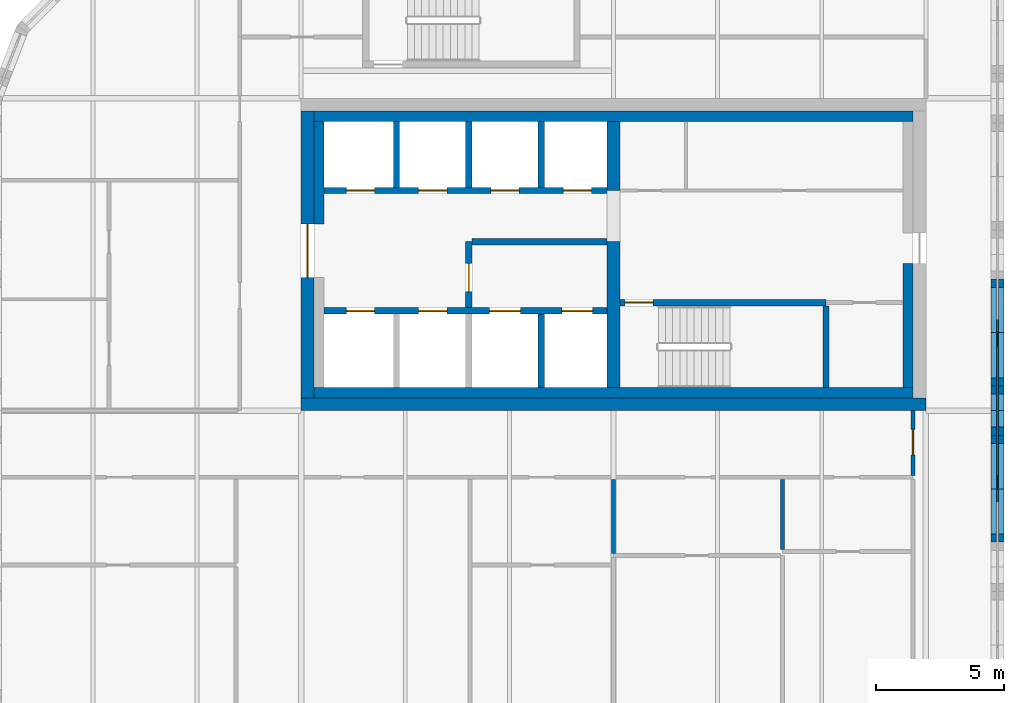
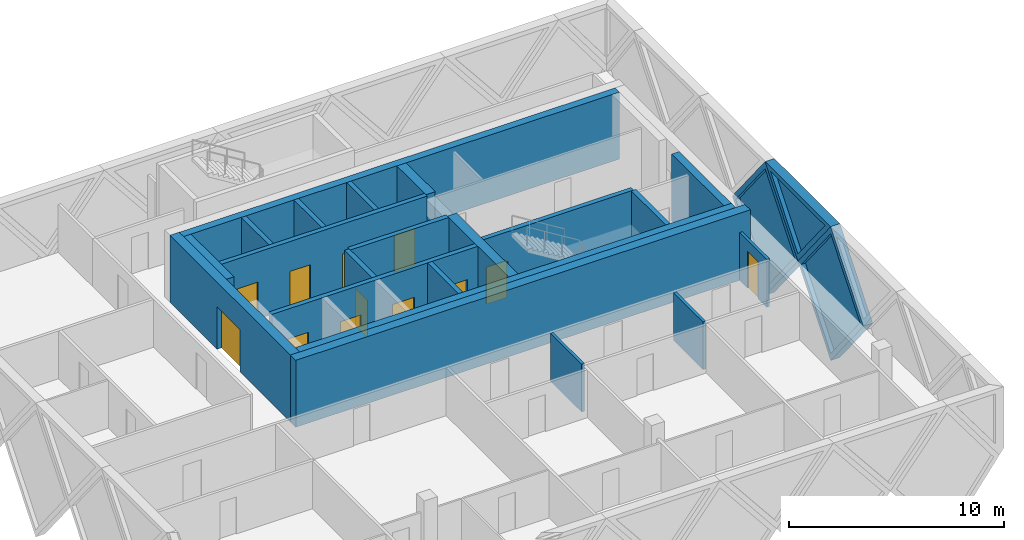
# One storey, part 19 of 24: 24 walls, 12 doors, 3 plates, 15 openings.
"""IFC4 building model written with IfcOpenShell, lengths in metres."""

from ifc_helpers import new_model, si_unit, direction, frame, frame_2d, origin, place, context, subcontext, project, spatial, polyline, rectangle, outline, extrude, faceted_brep, source, transform, mapped, material, layer, layer_set, type_object, element, fill, save


model = new_model("IFC4")

# Units and contexts
model_context = context("Model", 3, precision=1e-05, world=origin(), true_north=direction((0.0, 1.0)))
body_context = subcontext(model_context, "Body", "Model", "MODEL_VIEW")
ifc_project = project(units=[si_unit("LENGTHUNIT", "METRE"), si_unit("AREAUNIT", "SQUARE_METRE"), si_unit("VOLUMEUNIT", "CUBIC_METRE"), si_unit("PLANEANGLEUNIT", "RADIAN"), si_unit("MASSUNIT", "GRAM", prefix="KILO")], contexts=[model_context])

# Site, building, storey
site_placement = place(None, origin())
site = spatial("IfcSite", under=ifc_project, at=site_placement, CompositionType="ELEMENT")
building_placement = place(site_placement, origin())
building = spatial("IfcBuilding", under=site, at=building_placement, Name="Tessera Gate Towers", CompositionType="ELEMENT")
storey_placement = place(building_placement, frame((0.0, 0.0, 102.800048828125)))
storey = spatial("IfcBuildingStorey", under=building, at=storey_placement, Name="L25", CompositionType="ELEMENT", Elevation=102.800048828125)

# Wall, openings, doors
ifc_material_1 = material(Name="Concrete C40/50", Category="concrete")
ifc_layer_1 = layer(ifc_material_1, 0.25)
ifc_layer_set_1 = layer_set([ifc_layer_1], Name="CORE ENCLOSURE WALL 250")
wall_type_1 = type_object("IfcWallType", Name="CORE ENCLOSURE WALL 250", PredefinedType="SOLIDWALL", material=ifc_layer_set_1)
wall_1_placement = place(storey_placement, frame((98.5, 40.5, 0.0), z_axis=(0.0, 0.0, 1.0), x_axis=(1.0, 0.0, 0.0)))
wall_1 = element("IfcWall", 1, at=wall_1_placement, inside=storey, type_object=wall_type_1, Name="L25 shaft and stair enclosure wall", PredefinedType="SOLIDWALL", context=body_context, shape_type="SweptSolid", body=[
    extrude(rectangle(XDim=11.050048828125, YDim=0.25, at=frame_2d((5.52490234375, 0.0))), origin(), (0.0, 0.0, 1.0), 3.800048828125),
])
shared_shape_1 = source(origin(), body_context, "Body", "SweptSolid", [
    extrude(rectangle(XDim=1.10009765625, YDim=2.10009765625, at=frame_2d((0.550048828125, 1.050048828125))), frame((0.0, 0.135009765625, 0.0), z_axis=(0.0, -1.0, 0.0), x_axis=(1.0, 0.0, 0.0)), (0.0, 0.0, 1.0), 0.27001953125),
])
opening_1_placement = place(wall_1_placement, frame((0.862548828125, 0.0, 0.0)))
opening_1 = element("IfcOpeningElement", 2, at=opening_1_placement, cuts=wall_1, Name="Opening LD-TL1", PredefinedType="OPENING", context=body_context, shape_type="MappedRepresentation", body=[
    mapped(shared_shape_1, transform((0.0, 0.0, 0.0), scale=1.0)),
])
opening_2_placement = place(wall_1_placement, frame((3.6875, 0.0, 0.0)))
opening_2 = element("IfcOpeningElement", 3, at=opening_2_placement, cuts=wall_1, Name="Opening LD-TL2", PredefinedType="OPENING", context=body_context, shape_type="MappedRepresentation", body=[
    mapped(shared_shape_1, transform((0.0, 0.0, 0.0), scale=1.0)),
])
shared_shape_2 = source(origin(), body_context, "Body", "SweptSolid", [
    extrude(rectangle(XDim=1.199951171875, YDim=2.10009765625, at=frame_2d((0.60009765625, 1.050048828125))), frame((0.0, 0.135009765625, 0.0), z_axis=(0.0, -1.0, 0.0), x_axis=(1.0, 0.0, 0.0)), (0.0, 0.0, 1.0), 0.27001953125),
])
opening_3_placement = place(wall_1_placement, frame((6.46240234375, 0.0, 0.0)))
opening_3 = element("IfcOpeningElement", 4, at=opening_3_placement, cuts=wall_1, Name="Opening LD-FF3", PredefinedType="OPENING", context=body_context, shape_type="MappedRepresentation", body=[
    mapped(shared_shape_2, transform((0.0, 0.0, 0.0), scale=1.0)),
])
opening_4_placement = place(wall_1_placement, frame((9.28759765625, 0.0, 0.0)))
opening_4 = element("IfcOpeningElement", 5, at=opening_4_placement, cuts=wall_1, Name="Opening LD-FF4", PredefinedType="OPENING", context=body_context, shape_type="MappedRepresentation", body=[
    mapped(shared_shape_2, transform((0.0, 0.0, 0.0), scale=1.0)),
])
ifc_material_2 = material(Name="Stainless steel", Category="steel")
door_type_1 = type_object("IfcDoorType", Name="CORE DOOR LD1200 1200x2100", OperationType="DOUBLE_DOOR_SLIDING", PredefinedType="DOOR", material=ifc_material_2)
shared_shape_3 = source(origin(), body_context, "Body", "SweptSolid", [
    extrude(rectangle(XDim=1.199951171875, YDim=2.10009765625, at=frame_2d((0.60009765625, 1.050048828125))), frame((0.0, 0.02490234375, 0.0), z_axis=(0.0, -1.0, 0.0), x_axis=(1.0, 0.0, 0.0)), (0.0, 0.0, 1.0), 0.050048828125),
])
door_1_placement = place(opening_3_placement, origin())
door_1 = element("IfcDoor", 6, at=door_1_placement, inside=storey, type_object=door_type_1, Name="Landing door FF3 L25", OperationType="DOUBLE_DOOR_SLIDING", OverallHeight=2.10009765625, OverallWidth=1.199951171875, PredefinedType="DOOR", context=body_context, shape_type="MappedRepresentation", body=[
    mapped(shared_shape_3, transform((0.0, 0.0, 0.0), scale=1.0)),
])
fill(opening_3, door_1)
door_2_placement = place(opening_4_placement, origin())
door_2 = element("IfcDoor", 7, at=door_2_placement, inside=storey, type_object=door_type_1, Name="Landing door FF4 L25", OperationType="DOUBLE_DOOR_SLIDING", OverallHeight=2.10009765625, OverallWidth=1.199951171875, PredefinedType="DOOR", context=body_context, shape_type="MappedRepresentation", body=[
    mapped(shared_shape_3, transform((0.0, 0.0, 0.0), scale=1.0)),
])
fill(opening_4, door_2)
ifc_material_3 = material(Name="Stainless steel", Category="steel")
door_type_2 = type_object("IfcDoorType", Name="CORE DOOR LD 1100x2100", OperationType="DOUBLE_DOOR_SLIDING", PredefinedType="DOOR", material=ifc_material_3)
shared_shape_4 = source(origin(), body_context, "Body", "SweptSolid", [
    extrude(rectangle(XDim=1.10009765625, YDim=2.10009765625, at=frame_2d((0.550048828125, 1.050048828125))), frame((0.0, 0.02490234375, 0.0), z_axis=(0.0, -1.0, 0.0), x_axis=(1.0, 0.0, 0.0)), (0.0, 0.0, 1.0), 0.050048828125),
])
door_3_placement = place(opening_1_placement, origin())
door_3 = element("IfcDoor", 8, at=door_3_placement, inside=storey, type_object=door_type_2, Name="Landing door TL1 L25", OperationType="DOUBLE_DOOR_SLIDING", OverallHeight=2.10009765625, OverallWidth=1.10009765625, PredefinedType="DOOR", context=body_context, shape_type="MappedRepresentation", body=[
    mapped(shared_shape_4, transform((0.0, 0.0, 0.0), scale=1.0)),
])
fill(opening_1, door_3)
door_4_placement = place(opening_2_placement, origin())
door_4 = element("IfcDoor", 9, at=door_4_placement, inside=storey, type_object=door_type_2, Name="Landing door TL2 L25", OperationType="DOUBLE_DOOR_SLIDING", OverallHeight=2.10009765625, OverallWidth=1.10009765625, PredefinedType="DOOR", context=body_context, shape_type="MappedRepresentation", body=[
    mapped(shared_shape_4, transform((0.0, 0.0, 0.0), scale=1.0)),
])
fill(opening_2, door_4)

wall_2_placement = place(storey_placement, frame((109.550048828125, 45.199951171875, 0.0), z_axis=(0.0, 0.0, 1.0), x_axis=(-1.0, 0.0, 0.0)))
wall_2 = element("IfcWall", 10, at=wall_2_placement, inside=storey, type_object=wall_type_1, Name="L25 shaft and stair enclosure wall", PredefinedType="SOLIDWALL", context=body_context, shape_type="SweptSolid", body=[
    extrude(rectangle(XDim=11.050048828125, YDim=0.25, at=frame_2d((5.52490234375, 0.0))), origin(), (0.0, 0.0, 1.0), 3.800048828125),
])
opening_5_placement = place(wall_2_placement, frame((9.08740234375, 0.0, 0.0)))
opening_5 = element("IfcOpeningElement", 11, at=opening_5_placement, cuts=wall_2, Name="Opening LD-TL3", PredefinedType="OPENING", context=body_context, shape_type="MappedRepresentation", body=[
    mapped(shared_shape_1, transform((0.0, 0.0, 0.0), scale=1.0)),
])
opening_6_placement = place(wall_2_placement, frame((6.262451171875, 0.0, 0.0)))
opening_6 = element("IfcOpeningElement", 12, at=opening_6_placement, cuts=wall_2, Name="Opening LD-TL4", PredefinedType="OPENING", context=body_context, shape_type="MappedRepresentation", body=[
    mapped(shared_shape_1, transform((0.0, 0.0, 0.0), scale=1.0)),
])
opening_7_placement = place(wall_2_placement, frame((3.4375, 0.0, 0.0)))
opening_7 = element("IfcOpeningElement", 13, at=opening_7_placement, cuts=wall_2, Name="Opening LD-TL5", PredefinedType="OPENING", context=body_context, shape_type="MappedRepresentation", body=[
    mapped(shared_shape_1, transform((0.0, 0.0, 0.0), scale=1.0)),
])
opening_8_placement = place(wall_2_placement, frame((0.612548828125, 0.0, 0.0)))
opening_8 = element("IfcOpeningElement", 14, at=opening_8_placement, cuts=wall_2, Name="Opening LD-TL6", PredefinedType="OPENING", context=body_context, shape_type="MappedRepresentation", body=[
    mapped(shared_shape_1, transform((0.0, 0.0, 0.0), scale=1.0)),
])
door_5_placement = place(opening_5_placement, origin())
door_5 = element("IfcDoor", 15, at=door_5_placement, inside=storey, type_object=door_type_2, Name="Landing door TL3 L25", OperationType="DOUBLE_DOOR_SLIDING", OverallHeight=2.10009765625, OverallWidth=1.10009765625, PredefinedType="DOOR", context=body_context, shape_type="MappedRepresentation", body=[
    mapped(shared_shape_4, transform((0.0, 0.0, 0.0), scale=1.0)),
])
fill(opening_5, door_5)
door_6_placement = place(opening_6_placement, origin())
door_6 = element("IfcDoor", 16, at=door_6_placement, inside=storey, type_object=door_type_2, Name="Landing door TL4 L25", OperationType="DOUBLE_DOOR_SLIDING", OverallHeight=2.10009765625, OverallWidth=1.10009765625, PredefinedType="DOOR", context=body_context, shape_type="MappedRepresentation", body=[
    mapped(shared_shape_4, transform((0.0, 0.0, 0.0), scale=1.0)),
])
fill(opening_6, door_6)
door_7_placement = place(opening_7_placement, origin())
door_7 = element("IfcDoor", 17, at=door_7_placement, inside=storey, type_object=door_type_2, Name="Landing door TL5 L25", OperationType="DOUBLE_DOOR_SLIDING", OverallHeight=2.10009765625, OverallWidth=1.10009765625, PredefinedType="DOOR", context=body_context, shape_type="MappedRepresentation", body=[
    mapped(shared_shape_4, transform((0.0, 0.0, 0.0), scale=1.0)),
])
fill(opening_7, door_7)
door_8_placement = place(opening_8_placement, origin())
door_8 = element("IfcDoor", 18, at=door_8_placement, inside=storey, type_object=door_type_2, Name="Landing door TL6 L25", OperationType="DOUBLE_DOOR_SLIDING", OverallHeight=2.10009765625, OverallWidth=1.10009765625, PredefinedType="DOOR", context=body_context, shape_type="MappedRepresentation", body=[
    mapped(shared_shape_4, transform((0.0, 0.0, 0.0), scale=1.0)),
])
fill(opening_8, door_8)

# Wall, opening, door
wall_3_placement = place(storey_placement, frame((118.10009765625, 40.824951171875, 0.0), z_axis=(0.0, 0.0, 1.0), x_axis=(-1.0, 0.0, 0.0)))
wall_3 = element("IfcWall", 19, at=wall_3_placement, inside=storey, type_object=wall_type_1, Name="L25 shaft and stair enclosure wall", PredefinedType="SOLIDWALL", context=body_context, shape_type="SweptSolid", body=[
    extrude(rectangle(XDim=8.050048828125, YDim=0.25, at=frame_2d((4.02490234375, 0.0))), origin(), (0.0, 0.0, 1.0), 3.800048828125),
])
opening_9_placement = place(wall_3_placement, frame((6.75, 0.0, 0.0)))
opening_9 = element("IfcOpeningElement", 20, at=opening_9_placement, cuts=wall_3, Name="Opening SD-ST6-1", PredefinedType="OPENING", context=body_context, shape_type="MappedRepresentation", body=[
    mapped(shared_shape_1, transform((0.0, 0.0, 0.0), scale=1.0)),
])
ifc_material_4 = material(Name="Hollow steel fire door", Category="steel")
door_type_3 = type_object("IfcDoorType", Name="CORE DOOR SD1100 1100x2100", OperationType="NOTDEFINED", PredefinedType="DOOR", material=ifc_material_4)
door_9_placement = place(opening_9_placement, origin())
door_9 = element("IfcDoor", 21, at=door_9_placement, inside=storey, type_object=door_type_3, Name="Stair door", OperationType="SINGLE_SWING_RIGHT", OverallHeight=2.10009765625, OverallWidth=1.10009765625, PredefinedType="DOOR", context=body_context, shape_type="MappedRepresentation", body=[
    mapped(shared_shape_4, transform((0.0, 0.0, 0.0), scale=1.0)),
])
fill(opening_9, door_9)

wall_4_placement = place(storey_placement, frame((104.14990234375, 43.199951171875, 0.0), z_axis=(0.0, 0.0, 1.0), x_axis=(0.0, -1.0, 0.0)))
wall_4 = element("IfcWall", 22, at=wall_4_placement, inside=storey, type_object=wall_type_1, Name="L25 shaft and stair enclosure wall", PredefinedType="SOLIDWALL", context=body_context, shape_type="SweptSolid", body=[
    extrude(rectangle(XDim=2.574951171875, YDim=0.25, at=frame_2d((1.28759765625, 0.0))), origin(), (0.0, 0.0, 1.0), 3.800048828125),
])
opening_10_placement = place(wall_4_placement, frame((0.85009765625, 0.0, 0.0)))
opening_10 = element("IfcOpeningElement", 23, at=opening_10_placement, cuts=wall_4, Name="Opening FD-T2-12-03", PredefinedType="OPENING", context=body_context, shape_type="MappedRepresentation", body=[
    mapped(shared_shape_1, transform((0.0, 0.0, 0.0), scale=1.0)),
])
ifc_material_5 = material(Name="Hollow steel fire door", Category="steel")
door_type_4 = type_object("IfcDoorType", Name="CORE DOOR FD 1100x2100", OperationType="NOTDEFINED", PredefinedType="DOOR", material=ifc_material_5)
door_10_placement = place(opening_10_placement, origin())
door_10 = element("IfcDoor", 24, at=door_10_placement, inside=storey, type_object=door_type_4, Name="Fire-fighting lobby door", OperationType="SINGLE_SWING_RIGHT", OverallHeight=2.10009765625, OverallWidth=1.10009765625, PredefinedType="DOOR", context=body_context, shape_type="MappedRepresentation", body=[
    mapped(shared_shape_4, transform((0.0, 0.0, 0.0), scale=1.0)),
])
fill(opening_10, door_10)

# Walls
wall_5_placement = place(storey_placement, frame((104.27490234375, 43.199951171875, 0.0), z_axis=(0.0, 0.0, 1.0), x_axis=(1.0, 0.0, 0.0)))
element("IfcWall", 25, at=wall_5_placement, inside=storey, type_object=wall_type_1, Name="L25 shaft and stair enclosure wall", PredefinedType="SOLIDWALL", context=body_context, shape_type="SweptSolid", body=[
    extrude(rectangle(XDim=5.275146484375, YDim=0.25, at=frame_2d((2.6376953125, 0.0))), origin(), (0.0, 0.0, 1.0), 3.800048828125),
])
wall_6_placement = place(storey_placement, frame((118.10009765625, 37.5, 0.0), z_axis=(0.0, 0.0, 1.0), x_axis=(0.0, 1.0, 0.0)))
element("IfcWall", 26, at=wall_6_placement, inside=storey, type_object=wall_type_1, Name="L25 shaft and stair enclosure wall", PredefinedType="SOLIDWALL", context=body_context, shape_type="SweptSolid", body=[
    extrude(rectangle(XDim=3.199951171875, YDim=0.25, at=frame_2d((1.60009765625, 0.0))), origin(), (0.0, 0.0, 1.0), 3.800048828125),
])
wall_7_placement = place(storey_placement, frame((106.97509765625, 37.5, 0.0), z_axis=(0.0, 0.0, 1.0), x_axis=(0.0, 1.0, 0.0)))
element("IfcWall", 27, at=wall_7_placement, inside=storey, type_object=wall_type_1, Name="L25 shaft and stair enclosure wall", PredefinedType="SOLIDWALL", context=body_context, shape_type="SweptSolid", body=[
    extrude(rectangle(XDim=2.875, YDim=0.25, at=frame_2d((1.4375, 0.0))), origin(), (0.0, 0.0, 1.0), 3.800048828125),
])
for number, where, z_axis, x_axis, name in (
    (28, (101.324951171875, 45.324951171875, 0.0), (0.0, 0.0, 1.0), (0.0, 1.0, 0.0), "L25 shaft and stair enclosure wall"),
    (29, (104.14990234375, 45.324951171875, 0.0), (0.0, 0.0, 1.0), (0.0, 1.0, 0.0), "L25 shaft and stair enclosure wall"),
    (30, (106.97509765625, 45.324951171875, 0.0), (0.0, 0.0, 1.0), (0.0, 1.0, 0.0), "L25 shaft and stair enclosure wall"),
):
    element("IfcWall", number, at=place(storey_placement, frame(where, z_axis=z_axis, x_axis=x_axis)), inside=storey, type_object=wall_type_1, Name=name, PredefinedType="SOLIDWALL", context=body_context, shape_type="SweptSolid", body=[
        extrude(rectangle(XDim=2.574951171875, YDim=0.25, at=frame_2d((1.28759765625, 0.0))), origin(), (0.0, 0.0, 1.0), 3.800048828125),
    ])
ifc_material_6 = material(Name="Concrete C50/60", Category="concrete")
ifc_layer_2 = layer(ifc_material_6, 0.5)
ifc_layer_set_2 = layer_set([ifc_layer_2], Name="CORE SHEAR WALL 500 C50/60")
wall_type_2 = type_object("IfcWallType", Name="CORE SHEAR WALL 500 C50/60", PredefinedType="SHEAR", material=ifc_layer_set_2)
wall_8_placement = place(storey_placement, frame((122.0, 36.85009765625, 0.0), z_axis=(0.0, 0.0, 1.0), x_axis=(-1.0, 0.0, 0.0)))
element("IfcWall", 31, at=wall_8_placement, inside=storey, type_object=wall_type_2, Name="Core wall S L25", PredefinedType="SHEAR", context=body_context, shape_type="SweptSolid", body=[
    extrude(rectangle(XDim=24.39990234375, YDim=0.5, at=frame_2d((12.199951171875, 0.0))), origin(), (0.0, 0.0, 1.0), 3.800048828125),
])

# Wall, opening, door
wall_9_placement = place(storey_placement, frame((97.85009765625, 37.10009765625, 0.0), z_axis=(0.0, 0.0, 1.0), x_axis=(0.0, 1.0, 0.0)))
wall_9 = element("IfcWall", 32, at=wall_9_placement, inside=storey, type_object=wall_type_2, Name="Core wall W L25", PredefinedType="SHEAR", context=body_context, shape_type="SweptSolid", body=[
    extrude(rectangle(XDim=11.199951171875, YDim=0.5, at=frame_2d((5.60009765625, 0.0))), origin(), (0.0, 0.0, 1.0), 3.800048828125),
])
shared_shape_5 = source(origin(), body_context, "Body", "SweptSolid", [
    extrude(rectangle(XDim=2.10009765625, YDim=2.39990234375, at=frame_2d((1.050048828125, 1.199951171875))), frame((0.0, 0.260009765625, 0.0), z_axis=(0.0, -1.0, 0.0), x_axis=(1.0, 0.0, 0.0)), (0.0, 0.0, 1.0), 0.52001953125),
])
opening_11_placement = place(wall_9_placement, frame((4.699951171875, 0.0, 0.0)))
opening_11 = element("IfcOpeningElement", 33, at=opening_11_placement, cuts=wall_9, Name="Opening DD-T2-12-01", PredefinedType="OPENING", context=body_context, shape_type="MappedRepresentation", body=[
    mapped(shared_shape_5, transform((0.0, 0.0, 0.0), scale=1.0)),
])
ifc_material_7 = material(Name="Hollow steel fire door", Category="steel")
door_type_5 = type_object("IfcDoorType", Name="CORE DOOR DD 2100x2400", OperationType="NOTDEFINED", PredefinedType="DOOR", material=ifc_material_7)
shared_shape_6 = source(origin(), body_context, "Body", "SweptSolid", [
    extrude(rectangle(XDim=2.10009765625, YDim=2.39990234375, at=frame_2d((1.050048828125, 1.199951171875))), frame((0.0, 0.02490234375, 0.0), z_axis=(0.0, -1.0, 0.0), x_axis=(1.0, 0.0, 0.0)), (0.0, 0.0, 1.0), 0.050048828125),
])
door_11_placement = place(opening_11_placement, origin())
door_11 = element("IfcDoor", 34, at=door_11_placement, inside=storey, type_object=door_type_5, Name="Core entrance door", OperationType="DOUBLE_DOOR_SINGLE_SWING", OverallHeight=2.39990234375, OverallWidth=2.10009765625, PredefinedType="DOOR", context=body_context, shape_type="MappedRepresentation", body=[
    mapped(shared_shape_6, transform((0.0, 0.0, 0.0), scale=1.0)),
])
fill(opening_11, door_11)

# Walls
ifc_material_8 = material(Name="Concrete C50/60", Category="concrete")
ifc_layer_3 = layer(ifc_material_8, 0.5)
ifc_layer_set_3 = layer_set([ifc_layer_3], Name="CORE SPINE WALL 500 C50/60")
wall_type_3 = type_object("IfcWallType", Name="CORE SPINE WALL 500 C50/60", PredefinedType="SHEAR", material=ifc_layer_set_3)
wall_10_placement = place(storey_placement, frame((109.800048828125, 37.5, 0.0), z_axis=(0.0, 0.0, 1.0), x_axis=(0.0, 1.0, 0.0)))
element("IfcWall", 35, at=wall_10_placement, inside=storey, type_object=wall_type_3, Name="Core wall spine L25", PredefinedType="SHEAR", context=body_context, shape_type="SweptSolid", body=[
    extrude(rectangle(XDim=5.699951171875, YDim=0.5, at=frame_2d((2.85009765625, 0.0))), origin(), (0.0, 0.0, 1.0), 3.800048828125),
])
wall_11_placement = place(storey_placement, frame((109.800048828125, 45.199951171875, 0.0), z_axis=(0.0, 0.0, 1.0), x_axis=(0.0, 1.0, 0.0)))
element("IfcWall", 36, at=wall_11_placement, inside=storey, type_object=wall_type_3, Name="Core wall spine L25", PredefinedType="SHEAR", context=body_context, shape_type="SweptSolid", body=[
    extrude(rectangle(XDim=2.699951171875, YDim=0.5, at=frame_2d((1.35009765625, 0.0))), origin(), (0.0, 0.0, 1.0), 3.800048828125),
])
ifc_material_9 = material(Name="Concrete C50/60", Category="concrete")
ifc_layer_4 = layer(ifc_material_9, 0.39990234375)
ifc_layer_set_4 = layer_set([ifc_layer_4], Name="CORE WALL THICKENING 400")
wall_type_4 = type_object("IfcWallType", Name="CORE WALL THICKENING 400", PredefinedType="SOLIDWALL", material=ifc_layer_set_4)
for number, where, z_axis, x_axis, name in (
    (37, (98.10009765625, 37.300048828125, 0.0), (0.0, 0.0, 1.0), (1.0, 0.0, 0.0), "Core wall thickening S L25"),
    (38, (98.10009765625, 48.10009765625, 0.0), (0.0, 0.0, 1.0), (1.0, 0.0, 0.0), "Core wall thickening N L25"),
):
    element("IfcWall", number, at=place(storey_placement, frame(where, z_axis=z_axis, x_axis=x_axis)), inside=storey, type_object=wall_type_4, Name=name, PredefinedType="SOLIDWALL", context=body_context, shape_type="SweptSolid", body=[
        extrude(rectangle(XDim=23.39990234375, YDim=0.39990234375, at=frame_2d((11.699951171875, 0.0))), origin(), (0.0, 0.0, 1.0), 3.800048828125),
    ])
wall_12_placement = place(storey_placement, frame((98.300048828125, 43.89990234375, 0.0), z_axis=(0.0, 0.0, 1.0), x_axis=(0.0, 1.0, 0.0)))
element("IfcWall", 39, at=wall_12_placement, inside=storey, type_object=wall_type_4, Name="Core wall thickening W L25", PredefinedType="SOLIDWALL", context=body_context, shape_type="SweptSolid", body=[
    extrude(rectangle(XDim=4.0, YDim=0.39990234375, at=frame_2d((2.0, 0.0))), origin(), (0.0, 0.0, 1.0), 3.800048828125),
])
wall_13_placement = place(storey_placement, frame((121.300048828125, 37.5, 0.0), z_axis=(0.0, 0.0, 1.0), x_axis=(0.0, 1.0, 0.0)))
element("IfcWall", 40, at=wall_13_placement, inside=storey, type_object=wall_type_4, Name="Core wall thickening E L25", PredefinedType="SOLIDWALL", context=body_context, shape_type="SweptSolid", body=[
    extrude(rectangle(XDim=4.85009765625, YDim=0.39990234375, at=frame_2d((2.425048828125, 0.0))), origin(), (0.0, 0.0, 1.0), 3.800048828125),
])

# Wall, opening, door
ifc_material_10 = material(Name="Gypsum board on steel studs, mineral wool", Category="steel")
ifc_layer_5 = layer(ifc_material_10, 0.14990234375)
ifc_layer_set_5 = layer_set([ifc_layer_5], Name="CORRIDOR WALL 150")
wall_type_5 = type_object("IfcWallType", Name="CORRIDOR WALL 150", PredefinedType="PARTITIONING", material=ifc_layer_set_5)
wall_14_placement = place(storey_placement, frame((121.5, 36.60009765625, 0.0), z_axis=(0.0, 0.0, 1.0), x_axis=(0.0, -1.0, 0.0)))
wall_14 = element("IfcWall", 41, at=wall_14_placement, inside=storey, type_object=wall_type_5, Name="T2-L25-PW-025", PredefinedType="PARTITIONING", context=body_context, shape_type="SweptSolid", body=[
    extrude(rectangle(XDim=2.524169921875, YDim=0.14990234375, at=frame_2d((1.26220703125, 0.0))), origin(), (0.0, 0.0, 1.0), 2.71484375),
])
shared_shape_7 = source(origin(), body_context, "Body", "SweptSolid", [
    extrude(rectangle(XDim=1.0, YDim=2.10009765625, at=frame_2d((0.5, 1.050048828125))), frame((0.0, 0.0849609375, 0.0), z_axis=(0.0, -1.0, 0.0), x_axis=(1.0, 0.0, 0.0)), (0.0, 0.0, 1.0), 0.169921875),
])
opening_12_placement = place(wall_14_placement, frame((0.72412109375, 0.0, 0.0)))
opening_12 = element("IfcOpeningElement", 42, at=opening_12_placement, cuts=wall_14, Name="Opening D2100FD60-B10-07", PredefinedType="OPENING", context=body_context, shape_type="MappedRepresentation", body=[
    mapped(shared_shape_7, transform((0.0, 0.0, 0.0), scale=1.0)),
])
ifc_material_11 = material(Name="Timber door leaf in steel frame", Category="steel")
door_type_6 = type_object("IfcDoorType", Name="TENANCY ENTRANCE DOOR 1000 FD60", OperationType="NOTDEFINED", PredefinedType="DOOR", material=ifc_material_11)
shared_shape_8 = source(origin(), body_context, "Body", "SweptSolid", [
    extrude(rectangle(XDim=1.0, YDim=2.10009765625, at=frame_2d((0.5, 1.050048828125))), frame((0.0, 0.02490234375, 0.0), z_axis=(0.0, -1.0, 0.0), x_axis=(1.0, 0.0, 0.0)), (0.0, 0.0, 1.0), 0.050048828125),
])
door_12_placement = place(opening_12_placement, origin())
door_12 = element("IfcDoor", 43, at=door_12_placement, inside=storey, type_object=door_type_6, Name="T2-L25-PD-022", OperationType="SINGLE_SWING_RIGHT", OverallHeight=2.10009765625, OverallWidth=1.0, PredefinedType="DOOR", context=body_context, shape_type="MappedRepresentation", body=[
    mapped(shared_shape_8, transform((0.0, 0.0, 0.0), scale=1.0)),
])
fill(opening_12, door_12)

# Walls
ifc_material_12 = material(Name="Gypsum board on steel studs, mineral wool", Category="steel")
ifc_layer_6 = layer(ifc_material_12, 0.14990234375)
ifc_layer_set_6 = layer_set([ifc_layer_6], Name="TENANCY WALL 150")
wall_type_6 = type_object("IfcWallType", Name="TENANCY WALL 150", PredefinedType="PARTITIONING", material=ifc_layer_set_6)
wall_15_placement = place(storey_placement, frame((109.800048828125, 31.02587890625, 0.0), z_axis=(0.0, 0.0, 1.0), x_axis=(0.0, 1.0, 0.0)))
element("IfcWall", 44, at=wall_15_placement, inside=storey, type_object=wall_type_6, Name="T2-L25-PW-021", PredefinedType="PARTITIONING", context=body_context, shape_type="SweptSolid", body=[
    extrude(rectangle(XDim=2.898193359375, YDim=0.14990234375, at=frame_2d((1.44921875, 0.0))), origin(), (0.0, 0.0, 1.0), 2.71484375),
])
wall_16_placement = place(storey_placement, frame((116.39990234375, 31.176025390625, 0.0), z_axis=(0.0, 0.0, 1.0), x_axis=(0.0, 1.0, 0.0)))
element("IfcWall", 45, at=wall_16_placement, inside=storey, type_object=wall_type_6, Name="T2-L25-PW-023", PredefinedType="PARTITIONING", context=body_context, shape_type="SweptSolid", body=[
    extrude(rectangle(XDim=2.748046875, YDim=0.14990234375, at=frame_2d((1.3740234375, 0.0))), origin(), (0.0, 0.0, 1.0), 2.71484375),
])

# Wall, opening, plate
ifc_material_13 = material(Name="Precast concrete C60/75 white", Category="concrete")
ifc_layer_7 = layer(ifc_material_13, 0.5)
ifc_layer_set_7 = layer_set([ifc_layer_7], Name="TS1 tessera")
wall_type_7 = type_object("IfcWallType", Name="TS1 tessera", PredefinedType="SOLIDWALL", material=ifc_layer_set_7)
shared_shape_9 = source(origin(), body_context, "Body", "Brep", [
    faceted_brep([(3.050048828125, -0.25, 0.0), (6.099853515625, -0.25, 3.7998046875), (6.099853515625, -0.25, 3.80029296875), (3.050048828125, -0.25, 7.60009765625), (0.0, -0.25, 3.800048828125), (0.0, 0.25, 3.800048828125), (3.050048828125, 0.25, 7.60009765625), (6.099853515625, 0.25, 3.80029296875), (6.099853515625, 0.25, 3.7998046875), (3.050048828125, 0.25, 0.0)], [[[0, 1, 2, 3, 4]], [[5, 6, 7, 8, 9]], [[9, 8, 1, 0]], [[7, 6, 3, 2]], [[6, 5, 4, 3]], [[5, 9, 0, 4]], [[1, 8, 7, 2]]]),
])
wall_17_placement = place(storey_placement, frame((124.800048828125, 36.60009765625, -3.800048828125), z_axis=(0.0, 0.0, 1.0), x_axis=(0.0, 1.0, 0.0)))
wall_17 = element("IfcWall", 46, at=wall_17_placement, inside=storey, type_object=wall_type_7, Name="Precast tessera T2 TS1-0314", PredefinedType="SOLIDWALL", context=body_context, shape_type="MappedRepresentation", body=[
    mapped(shared_shape_9, transform((0.0, 0.0, 0.0), scale=1.0)),
])
shared_shape_10 = source(origin(), body_context, "Body", "SweptSolid", [
    extrude(outline(polyline([(3.050048828125, 0.3994140625), (5.779541015625, 3.800048828125), (3.050048828125, 7.20068359375), (0.320556640625, 3.800048828125), (3.050048828125, 0.3994140625)])), frame((0.0, 0.260009765625, 0.0), z_axis=(0.0, -1.0, 0.0), x_axis=(1.0, 0.0, 0.0)), (0.0, 0.0, 1.0), 0.52001953125),
])
opening_13_placement = place(wall_17_placement, origin())
opening_13 = element("IfcOpeningElement", 47, at=opening_13_placement, cuts=wall_17, Name="Opening T2-PL2-0584", PredefinedType="OPENING", context=body_context, shape_type="MappedRepresentation", body=[
    mapped(shared_shape_10, transform((0.0, 0.0, 0.0), scale=1.0)),
])
ifc_material_14 = material(Name="Low-e laminated glass", Category="glass")
ifc_layer_8 = layer(ifc_material_14, 0.06005859375)
ifc_layer_set_8 = layer_set([ifc_layer_8], Name="PL2 rhombic pane")
plate_type_1 = type_object("IfcPlateType", Name="PL2 rhombic pane", PredefinedType="SHEET", material=ifc_layer_set_8)
shared_shape_11 = source(origin(), body_context, "Body", "SweptSolid", [
    extrude(outline(polyline([(3.050048828125, 0.3994140625), (5.779541015625, 3.800048828125), (3.050048828125, 7.20068359375), (0.320556640625, 3.800048828125), (3.050048828125, 0.3994140625)])), frame((0.0, 0.030029296875, 0.0), z_axis=(0.0, -1.0, 0.0), x_axis=(1.0, 0.0, 0.0)), (0.0, 0.0, 1.0), 0.06005859375),
])
plate_1_placement = place(opening_13_placement, origin())
plate_1 = element("IfcPlate", 48, at=plate_1_placement, inside=storey, type_object=plate_type_1, Name="Glass pane T2 PL2-0584", PredefinedType="SHEET", context=body_context, shape_type="MappedRepresentation", body=[
    mapped(shared_shape_11, transform((0.0, 0.0, 0.0), scale=1.0)),
])
fill(opening_13, plate_1)

shared_shape_12 = source(origin(), body_context, "Body", "SweptSolid", [
    extrude(outline(polyline([(3.050048828125, 0.0), (6.10009765625, 3.800048828125), (3.050048828125, 7.60009765625), (0.0, 3.800048828125), (3.050048828125, 0.0)])), frame((0.0, 0.25, 0.0), z_axis=(0.0, -1.0, 0.0), x_axis=(1.0, 0.0, 0.0)), (0.0, 0.0, 1.0), 0.5),
])
wall_18_placement = place(storey_placement, frame((124.800048828125, 30.5, -3.800048828125), z_axis=(0.0, 0.0, 1.0), x_axis=(0.0, 1.0, 0.0)))
wall_18 = element("IfcWall", 49, at=wall_18_placement, inside=storey, type_object=wall_type_7, Name="Precast tessera T2 TS1-0313", PredefinedType="SOLIDWALL", context=body_context, shape_type="MappedRepresentation", body=[
    mapped(shared_shape_12, transform((0.0, 0.0, 0.0), scale=1.0)),
])
opening_14_placement = place(wall_18_placement, origin())
opening_14 = element("IfcOpeningElement", 50, at=opening_14_placement, cuts=wall_18, Name="Opening T2-PL2-0583", PredefinedType="OPENING", context=body_context, shape_type="MappedRepresentation", body=[
    mapped(shared_shape_10, transform((0.0, 0.0, 0.0), scale=1.0)),
])
plate_2_placement = place(opening_14_placement, origin())
plate_2 = element("IfcPlate", 51, at=plate_2_placement, inside=storey, type_object=plate_type_1, Name="Glass pane T2 PL2-0583", PredefinedType="SHEET", context=body_context, shape_type="MappedRepresentation", body=[
    mapped(shared_shape_11, transform((0.0, 0.0, 0.0), scale=1.0)),
])
fill(opening_14, plate_2)

ifc_material_15 = material(Name="Precast concrete C60/75 white", Category="concrete")
ifc_layer_9 = layer(ifc_material_15, 0.5)
ifc_layer_set_9 = layer_set([ifc_layer_9], Name="TS2 half tessera")
wall_type_8 = type_object("IfcWallType", Name="TS2 half tessera", PredefinedType="SOLIDWALL", material=ifc_layer_set_9)
shared_shape_13 = source(origin(), body_context, "Body", "Brep", [
    faceted_brep([(3.050048828125, -0.25, 0.0), (6.099853515625, -0.25, 3.7998046875), (6.099853515625, -0.25, 3.800048828125), (0.0, -0.25, 3.800048828125), (0.0, 0.25, 3.800048828125), (6.099853515625, 0.25, 3.800048828125), (6.099853515625, 0.25, 3.7998046875), (3.050048828125, 0.25, 0.0)], [[[0, 1, 2, 3]], [[4, 5, 6, 7]], [[7, 6, 1, 0]], [[5, 4, 3, 2]], [[4, 7, 0, 3]], [[1, 6, 5, 2]]]),
])
wall_19_placement = place(storey_placement, frame((124.800048828125, 33.550048828125, 0.0), z_axis=(0.0, 0.0, 1.0), x_axis=(0.0, 1.0, 0.0)))
wall_19 = element("IfcWall", 52, at=wall_19_placement, inside=storey, type_object=wall_type_8, Name="Precast half tessera T2 TS2-0135", PredefinedType="SOLIDWALL", context=body_context, shape_type="MappedRepresentation", body=[
    mapped(shared_shape_13, transform((0.0, 0.0, 0.0), scale=1.0)),
])
shared_shape_14 = source(origin(), body_context, "Body", "SweptSolid", [
    extrude(outline(polyline([(3.050048828125, 0.3994140625), (5.578857421875, 3.550048828125), (0.521240234375, 3.550048828125), (3.050048828125, 0.3994140625)])), frame((0.0, 0.260009765625, 0.0), z_axis=(0.0, -1.0, 0.0), x_axis=(1.0, 0.0, 0.0)), (0.0, 0.0, 1.0), 0.52001953125),
])
opening_15_placement = place(wall_19_placement, origin())
opening_15 = element("IfcOpeningElement", 53, at=opening_15_placement, cuts=wall_19, Name="Opening T2-PL1-0241", PredefinedType="OPENING", context=body_context, shape_type="MappedRepresentation", body=[
    mapped(shared_shape_14, transform((0.0, 0.0, 0.0), scale=1.0)),
])
ifc_material_16 = material(Name="Low-e laminated glass", Category="glass")
ifc_layer_10 = layer(ifc_material_16, 0.06005859375)
ifc_layer_set_10 = layer_set([ifc_layer_10], Name="PL1 triangular pane")
plate_type_2 = type_object("IfcPlateType", Name="PL1 triangular pane", PredefinedType="SHEET", material=ifc_layer_set_10)
shared_shape_15 = source(origin(), body_context, "Body", "SweptSolid", [
    extrude(outline(polyline([(3.050048828125, 0.3994140625), (5.578857421875, 3.550048828125), (0.521240234375, 3.550048828125), (3.050048828125, 0.3994140625)])), frame((0.0, 0.030029296875, 0.0), z_axis=(0.0, -1.0, 0.0), x_axis=(1.0, 0.0, 0.0)), (0.0, 0.0, 1.0), 0.06005859375),
])
plate_3_placement = place(opening_15_placement, origin())
plate_3 = element("IfcPlate", 54, at=plate_3_placement, inside=storey, type_object=plate_type_2, Name="Glass pane T2 PL1-0241", PredefinedType="SHEET", context=body_context, shape_type="MappedRepresentation", body=[
    mapped(shared_shape_15, transform((0.0, 0.0, 0.0), scale=1.0)),
])
fill(opening_15, plate_3)

save(model, "model.ifc")
